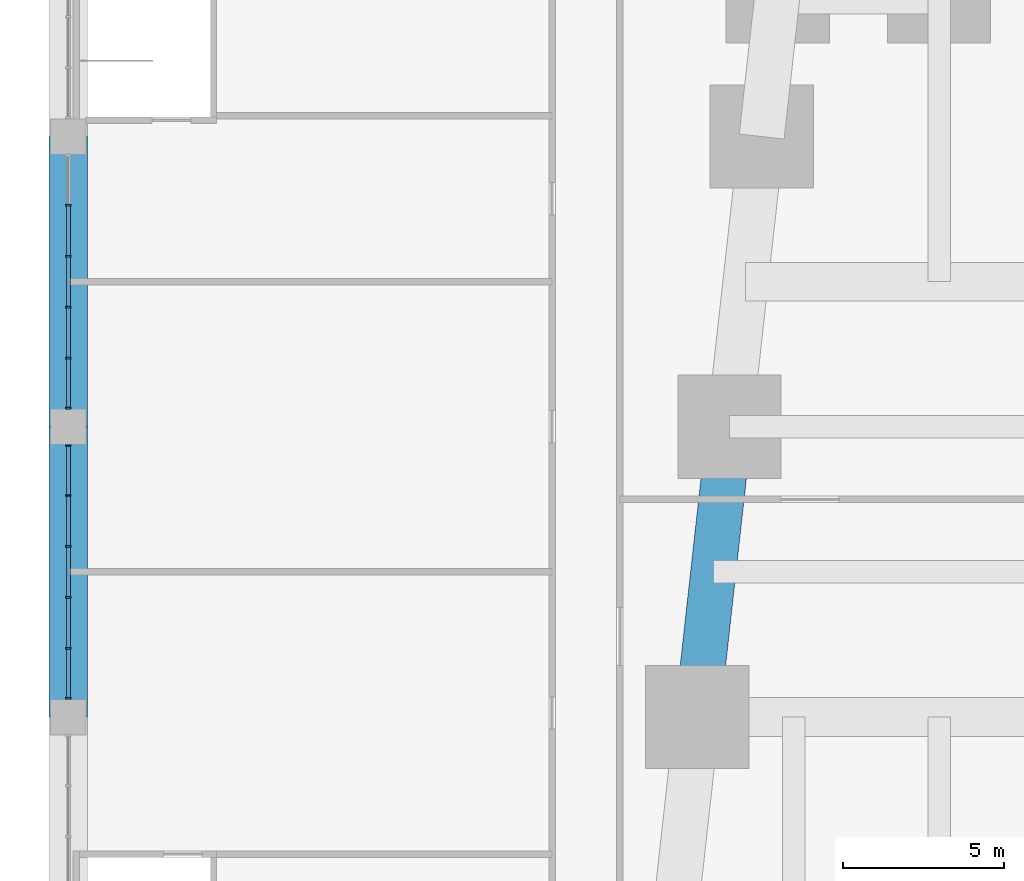
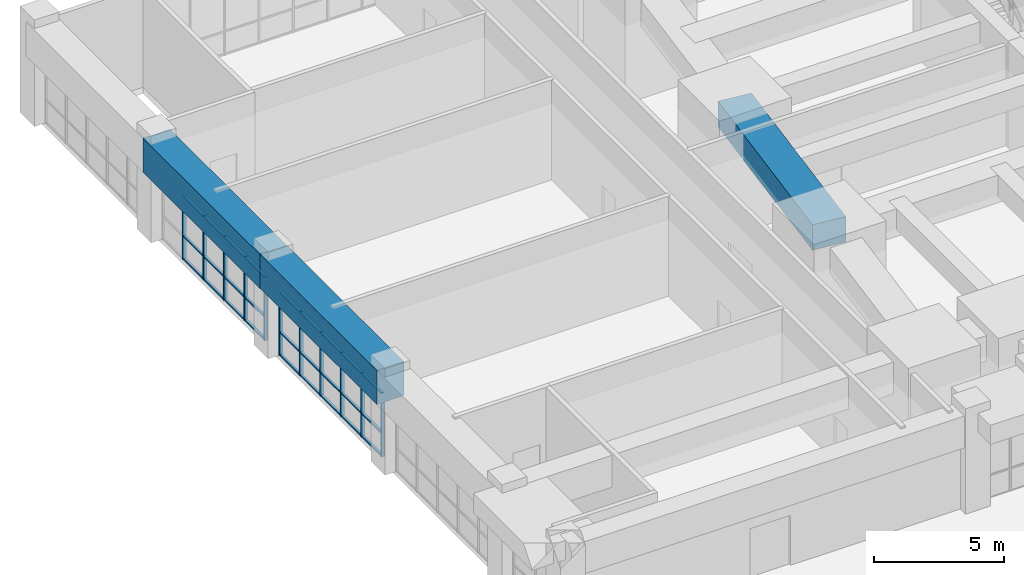
# One storey, part 4 of 22: 38 members, 3 beams, 2 elements without a shape of their own.
"""IFC4 building model written with IfcOpenShell, lengths in metres."""

import ifcopenshell
import ifcopenshell.guid

model = None  # the IFC model being written
_history = None  # IfcOwnerHistory: only IFC2X3 demands one
_inside = {}  # id of a spatial element -> (the spatial element, [elements in it])
_under = {}  # id of a project, library or spatial element -> (it, [spatial elements below it])
_declared = {}  # id of a project -> (the project, [libraries it declares])
_typed = {}  # id of a type object -> (the type object, [elements of that type])
_made_of = {}  # id of a material, layer set ... -> (it, [elements and type objects made of it])


def new_model(schema):
    """Start an empty IFC model of exactly this schema.

    Asked for "IFC4X3", IfcOpenShell would pick the latest addendum, in which some entities
    have other attributes; the version numbers below select the first issue.
    IFC2X3 requires an IfcOwnerHistory on every rooted entity: one is made here for all.
    """
    global model, _history
    if schema == "IFC4X3":
        model = ifcopenshell.file(schema_version=(4, 3, 0, 0))
    else:
        model = ifcopenshell.file(schema=schema)
    _inside.clear()
    _under.clear()
    _declared.clear()
    _typed.clear()
    _made_of.clear()
    _history = None
    if model.schema == "IFC2X3":
        org = make("IfcOrganization", Name="unknown")
        user = make(
            "IfcPersonAndOrganization",
            ThePerson=make("IfcPerson", FamilyName="unknown"),
            TheOrganization=org,
        )
        app = make(
            "IfcApplication",
            ApplicationDeveloper=org,
            Version="unknown",
            ApplicationFullName="unknown",
            ApplicationIdentifier="unknown",
        )
        _history = make(
            "IfcOwnerHistory",
            OwningUser=user,
            OwningApplication=app,
            ChangeAction="ADDED",
            CreationDate=0,
        )
    return model


def make(cls, **values):
    """One entity of the class cls with the attributes given. An attribute that is None is left unset."""
    return model.create_entity(
        cls, **{name: value for name, value in values.items() if value is not None}
    )


def rooted(cls, **values):
    """An entity with a GlobalId (a new one), such as an element, a storey or a relation."""
    return make(cls, GlobalId=ifcopenshell.guid.new(), OwnerHistory=_history, **values)


def si_unit(unit_type, name, prefix=None):
    """IfcSIUnit, for example si_unit("LENGTHUNIT", "METRE", prefix="MILLI")."""
    return make("IfcSIUnit", UnitType=unit_type, Prefix=prefix, Name=name)


def assignment(units):
    """IfcUnitAssignment: the units of a project."""
    return None if units is None else make("IfcUnitAssignment", Units=units)


def point(xyz):
    """IfcCartesianPoint."""
    return None if xyz is None else make("IfcCartesianPoint", Coordinates=xyz)


def direction(xyz):
    """IfcDirection."""
    return None if xyz is None else make("IfcDirection", DirectionRatios=xyz)


def frame(location, z_axis=None, x_axis=None):
    """IfcAxis2Placement3D, a coordinate frame: its origin and axes. An axis left out is left unset."""
    return make(
        "IfcAxis2Placement3D",
        Location=point(location),
        Axis=direction(z_axis),
        RefDirection=direction(x_axis),
    )


def frame_2d(location, x_axis=None):
    """IfcAxis2Placement2D, a coordinate frame in the plane: its origin and x axis."""
    return make(
        "IfcAxis2Placement2D", Location=point(location), RefDirection=direction(x_axis)
    )


def origin():
    """The frame at (0, 0, 0) with its axes left unset."""
    return frame((0.0, 0.0, 0.0))


def origin_2d():
    """The frame at (0, 0) in the plane with its x axis left unset."""
    return frame_2d((0.0, 0.0))


def place(relative_to, where):
    """IfcLocalPlacement: puts the frame where relative to a parent placement (None: the world)."""
    return make(
        "IfcLocalPlacement", PlacementRelTo=relative_to, RelativePlacement=where
    )


def context(
    kind, dimensions, precision=None, world=None, true_north=None, identifier=None
):
    """IfcGeometricRepresentationContext, for example the 3D "Model" context."""
    return make(
        "IfcGeometricRepresentationContext",
        ContextIdentifier=identifier,
        ContextType=kind,
        CoordinateSpaceDimension=dimensions,
        Precision=precision,
        WorldCoordinateSystem=world,
        TrueNorth=true_north,
    )


def subcontext(parent, identifier, kind, view, scale=None):
    """IfcGeometricRepresentationSubContext, for example "Body" below "Model"."""
    return make(
        "IfcGeometricRepresentationSubContext",
        ContextIdentifier=identifier,
        ContextType=kind,
        ParentContext=parent,
        TargetScale=scale,
        TargetView=view,
    )


def project(units=None, contexts=None):
    """IfcProject with its units and contexts."""
    return rooted(
        "IfcProject",
        Name="project",
        RepresentationContexts=contexts,
        UnitsInContext=assignment(units),
    )


def spatial(cls, under=None, at=None, **own):
    """A site, building, storey or space (cls), placed at a placement, below another one or the project."""
    s = rooted(cls, ObjectPlacement=at, **own)
    if under is not None:
        _under.setdefault(under.id(), (under, []))[1].append(s)
    return s


def profile(cls, at=None, kind="AREA", **sizes):
    """A parametric profile (cls). Its sizes go by their IFC names, for example OverallWidth=200.0."""
    return make(cls, ProfileType=kind, Position=at, **sizes)


def rectangle(**sizes):
    """IfcRectangleProfileDef."""
    return profile("IfcRectangleProfileDef", **sizes)


def extrude(swept, where, along, depth):
    """IfcExtrudedAreaSolid: the profile swept, set in the frame where, extruded along a direction by depth."""
    return make(
        "IfcExtrudedAreaSolid",
        SweptArea=swept,
        Position=where,
        ExtrudedDirection=direction(along),
        Depth=depth,
    )


def shape(context_of_items, identifier, shape_type, items):
    """IfcShapeRepresentation: the items that make up one representation, for example the "Body"."""
    return make(
        "IfcShapeRepresentation",
        ContextOfItems=context_of_items,
        RepresentationIdentifier=identifier,
        RepresentationType=shape_type,
        Items=items,
    )


def material(Name=None, Category=None):
    """IfcMaterial."""
    return make("IfcMaterial", Name=Name, Category=Category)


def material_profile(
    of_material, cross_section, Name=None, Category=None, Priority=None
):
    """IfcMaterialProfile: a cross section and its material."""
    return make(
        "IfcMaterialProfile",
        Name=Name,
        Material=of_material,
        Profile=cross_section,
        Priority=Priority,
        Category=Category,
    )


def profile_set(profiles, Name=None, composite=None):
    """IfcMaterialProfileSet."""
    return make(
        "IfcMaterialProfileSet",
        Name=Name,
        MaterialProfiles=profiles,
        CompositeProfile=composite,
    )


def made_of(thing, what):
    """Note that an element or type object is made of a material, layer set ...; save() writes the relation."""
    if what is not None:
        _made_of.setdefault(what.id(), (what, []))[1].append(thing)
    return thing


def type_object(cls, material=None, **own):
    """A type object (cls), such as IfcWallType, which elements share."""
    return made_of(rooted(cls, **own), material)


def element(
    cls,
    number,
    at=None,
    inside=None,
    cuts=None,
    type_object=None,
    material=None,
    context=None,
    identifier="Body",
    shape_type=None,
    held_by="IfcProductDefinitionShape",
    body=None,
    shapes=None,
    **own,
):
    """One element of the class cls, such as IfcWall. Its Tag is "e" and its number.

    at: its placement. inside: the storey or other place that contains it. cuts: it is an
    opening in that element (IfcRelVoidsElement). A single representation is given by context,
    identifier, shape_type and body (its items); several are given by shapes. held_by: the class
    of the entity that holds the representations. save() writes the other relations.
    """
    e = rooted(cls, Tag="e%d" % number, ObjectPlacement=at, **own)
    if body is not None:
        shapes = [shape(context, identifier, shape_type, body)]
    if shapes is not None:
        e.Representation = make(held_by, Representations=shapes)
    if inside is not None:
        _inside.setdefault(inside.id(), (inside, []))[1].append(e)
    if cuts is not None:
        rooted(
            "IfcRelVoidsElement", RelatingBuildingElement=cuts, RelatedOpeningElement=e
        )
    if type_object is not None:
        _typed.setdefault(type_object.id(), (type_object, []))[1].append(e)
    return made_of(e, material)


def aggregate(whole, parts):
    """IfcRelAggregates: a whole, such as a stair, and the parts it consists of."""
    return rooted("IfcRelAggregates", RelatingObject=whole, RelatedObjects=parts)


def save(model, path):
    """Write the relations noted so far, then the file.

    IfcRelAggregates (storeys below a building ...), IfcRelContainedInSpatialStructure (elements
    in a storey), IfcRelDefinesByType, IfcRelAssociatesMaterial and IfcRelDeclares: one each for
    every whole, place, type object, material and project.
    """
    for whole, parts in _under.values():
        aggregate(whole, parts)
    for where, things in _inside.values():
        rooted(
            "IfcRelContainedInSpatialStructure",
            RelatedElements=things,
            RelatingStructure=where,
        )
    for kind, things in _typed.values():
        rooted("IfcRelDefinesByType", RelatedObjects=things, RelatingType=kind)
    for what, things in _made_of.values():
        rooted("IfcRelAssociatesMaterial", RelatedObjects=things, RelatingMaterial=what)
    for by, libraries in _declared.values():
        rooted("IfcRelDeclares", RelatingContext=by, RelatedDefinitions=libraries)
    model.write(path)


model = new_model("IFC4")

# Units and contexts
model_context = context("Model", 3, precision=1e-05, world=origin(), true_north=direction((0.0, 1.0)))
body_context = subcontext(model_context, "Body", "Model", "MODEL_VIEW")
ifc_project = project(units=[si_unit("LENGTHUNIT", "METRE"), si_unit("AREAUNIT", "SQUARE_METRE"), si_unit("VOLUMEUNIT", "CUBIC_METRE"), si_unit("PLANEANGLEUNIT", "RADIAN"), si_unit("MASSUNIT", "GRAM", prefix="KILO")], contexts=[model_context])

# Site, building, storey
site_placement = place(None, origin())
site = spatial("IfcSite", under=ifc_project, at=site_placement, CompositionType="ELEMENT")
building_placement = place(site_placement, origin())
building = spatial("IfcBuilding", under=site, at=building_placement, Name="Kilele Tower Hotel", CompositionType="ELEMENT")
storey_placement = place(building_placement, frame((0.0, 0.0, 19.0)))
storey = spatial("IfcBuildingStorey", under=building, at=storey_placement, Name="L03", CompositionType="ELEMENT", Elevation=19.0)

# Beams
ifc_material_1 = material(Name="Concrete C60/75", Category="concrete")
ifc_material_profile_1 = material_profile(ifc_material_1, rectangle(XDim=1.199951171875, YDim=1.60009765625, at=origin_2d()))
ifc_profile_set_1 = profile_set([ifc_material_profile_1], Name="Concrete C60/75")
beam_type_1 = type_object("IfcBeamType", Name="Beam RC 1200x1600 C60/75", PredefinedType="BEAM", material=ifc_profile_set_1)
for number, where, z_axis, x_axis, name in (
    (1, (-18.0, 13.5, 3.800048828125), (0.0, 1.0, 0.0), (-1.0, 0.0, 0.0), "Beam PB2 level L04"),
    (2, (-18.0, 22.5, 3.800048828125), (0.0, 1.0, 0.0), (-1.0, 0.0, 0.0), "Beam PB2 level L04"),
):
    element("IfcBeam", number, at=place(storey_placement, frame(where, z_axis=z_axis, x_axis=x_axis)), inside=storey, type_object=beam_type_1, Name=name, PredefinedType="BEAM", context=body_context, shape_type="SweptSolid", body=[
        extrude(rectangle(XDim=1.199951171875, YDim=1.60009765625, at=origin_2d()), origin(), (0.0, 0.0, 1.0), 9.0),
    ])

# Curtain wall, members
ifc_material_2 = material(Name="Aluminium curtain wall, clear double glazing", Category="aluminium")
curtain_wall_type = type_object("IfcCurtainWallType", Name="Podium side curtain wall CW-2", PredefinedType="NOTDEFINED", material=ifc_material_2)
curtain_wall_1_placement = place(storey_placement, origin())
curtain_wall_1 = element("IfcCurtainWall", 3, at=curtain_wall_1_placement, inside=storey, type_object=curtain_wall_type, Name="Podium side curtain wall CW-2 L03", PredefinedType="NOTDEFINED")
ifc_material_3 = material(Name="Aluminium EN AW-6063 T6", Category="aluminium")
ifc_material_profile_2 = material_profile(ifc_material_3, rectangle(XDim=0.159912109375, YDim=0.06005859375, at=origin_2d()))
ifc_profile_set_2 = profile_set([ifc_material_profile_2], Name="Aluminium EN AW-6063 T6")
member_type_1 = type_object("IfcMemberType", Name="Mullion 60x160 CW-2", PredefinedType="MULLION", material=ifc_profile_set_2)
member_1_placement = place(storey_placement, frame((-18.0, 29.3701171875, 0.0), z_axis=(0.0, 0.0, 1.0), x_axis=(1.0, 0.0, 0.0)))
member_1 = element("IfcMember", 4, at=member_1_placement, type_object=member_type_1, Name="CW-2 mullion 2", PredefinedType="MULLION", context=body_context, shape_type="SweptSolid", body=[
    extrude(rectangle(XDim=0.159912109375, YDim=0.06005859375, at=origin_2d()), origin(), (0.0, 0.0, 1.0), 3.0),
])
member_2_placement = place(storey_placement, frame((-18.0, 27.7900390625, 0.0), z_axis=(0.0, 0.0, 1.0), x_axis=(1.0, 0.0, 0.0)))
member_2 = element("IfcMember", 5, at=member_2_placement, type_object=member_type_1, Name="CW-2 mullion 3", PredefinedType="MULLION", context=body_context, shape_type="SweptSolid", body=[
    extrude(rectangle(XDim=0.159912109375, YDim=0.06005859375, at=origin_2d()), origin(), (0.0, 0.0, 1.0), 3.0),
])
member_3_placement = place(storey_placement, frame((-18.0, 26.2099609375, 0.0), z_axis=(0.0, 0.0, 1.0), x_axis=(1.0, 0.0, 0.0)))
member_3 = element("IfcMember", 6, at=member_3_placement, type_object=member_type_1, Name="CW-2 mullion 4", PredefinedType="MULLION", context=body_context, shape_type="SweptSolid", body=[
    extrude(rectangle(XDim=0.159912109375, YDim=0.06005859375, at=origin_2d()), origin(), (0.0, 0.0, 1.0), 3.0),
])
member_4_placement = place(storey_placement, frame((-18.0, 24.6298828125, 0.0), z_axis=(0.0, 0.0, 1.0), x_axis=(1.0, 0.0, 0.0)))
member_4 = element("IfcMember", 7, at=member_4_placement, type_object=member_type_1, Name="CW-2 mullion 5", PredefinedType="MULLION", context=body_context, shape_type="SweptSolid", body=[
    extrude(rectangle(XDim=0.159912109375, YDim=0.06005859375, at=origin_2d()), origin(), (0.0, 0.0, 1.0), 3.0),
])
member_5_placement = place(storey_placement, frame((-18.0, 23.080078125, 0.0), z_axis=(0.0, 0.0, 1.0), x_axis=(1.0, 0.0, 0.0)))
member_5 = element("IfcMember", 8, at=member_5_placement, type_object=member_type_1, Name="CW-2 mullion 6", PredefinedType="MULLION", context=body_context, shape_type="SweptSolid", body=[
    extrude(rectangle(XDim=0.159912109375, YDim=0.06005859375, at=origin_2d()), origin(), (0.0, 0.0, 1.0), 3.0),
])

curtain_wall_2_placement = place(storey_placement, origin())
curtain_wall_2 = element("IfcCurtainWall", 9, at=curtain_wall_2_placement, inside=storey, type_object=curtain_wall_type, Name="Podium side curtain wall CW-2 L03", PredefinedType="NOTDEFINED")
member_6_placement = place(storey_placement, frame((-18.0, 21.919921875, 0.0), z_axis=(0.0, 0.0, 1.0), x_axis=(1.0, 0.0, 0.0)))
member_6 = element("IfcMember", 10, at=member_6_placement, type_object=member_type_1, Name="CW-2 mullion 1", PredefinedType="MULLION", context=body_context, shape_type="SweptSolid", body=[
    extrude(rectangle(XDim=0.159912109375, YDim=0.06005859375, at=origin_2d()), origin(), (0.0, 0.0, 1.0), 3.0),
])
member_7_placement = place(storey_placement, frame((-18.0, 20.3701171875, 0.0), z_axis=(0.0, 0.0, 1.0), x_axis=(1.0, 0.0, 0.0)))
member_7 = element("IfcMember", 11, at=member_7_placement, type_object=member_type_1, Name="CW-2 mullion 2", PredefinedType="MULLION", context=body_context, shape_type="SweptSolid", body=[
    extrude(rectangle(XDim=0.159912109375, YDim=0.06005859375, at=origin_2d()), origin(), (0.0, 0.0, 1.0), 3.0),
])
member_8_placement = place(storey_placement, frame((-18.0, 18.7900390625, 0.0), z_axis=(0.0, 0.0, 1.0), x_axis=(1.0, 0.0, 0.0)))
member_8 = element("IfcMember", 12, at=member_8_placement, type_object=member_type_1, Name="CW-2 mullion 3", PredefinedType="MULLION", context=body_context, shape_type="SweptSolid", body=[
    extrude(rectangle(XDim=0.159912109375, YDim=0.06005859375, at=origin_2d()), origin(), (0.0, 0.0, 1.0), 3.0),
])
member_9_placement = place(storey_placement, frame((-18.0, 17.2099609375, 0.0), z_axis=(0.0, 0.0, 1.0), x_axis=(1.0, 0.0, 0.0)))
member_9 = element("IfcMember", 13, at=member_9_placement, type_object=member_type_1, Name="CW-2 mullion 4", PredefinedType="MULLION", context=body_context, shape_type="SweptSolid", body=[
    extrude(rectangle(XDim=0.159912109375, YDim=0.06005859375, at=origin_2d()), origin(), (0.0, 0.0, 1.0), 3.0),
])
member_10_placement = place(storey_placement, frame((-18.0, 15.6298828125, 0.0), z_axis=(0.0, 0.0, 1.0), x_axis=(1.0, 0.0, 0.0)))
member_10 = element("IfcMember", 14, at=member_10_placement, type_object=member_type_1, Name="CW-2 mullion 5", PredefinedType="MULLION", context=body_context, shape_type="SweptSolid", body=[
    extrude(rectangle(XDim=0.159912109375, YDim=0.06005859375, at=origin_2d()), origin(), (0.0, 0.0, 1.0), 3.0),
])
member_11_placement = place(storey_placement, frame((-18.0, 14.080078125, 0.0), z_axis=(0.0, 0.0, 1.0), x_axis=(1.0, 0.0, 0.0)))
member_11 = element("IfcMember", 15, at=member_11_placement, type_object=member_type_1, Name="CW-2 mullion 6", PredefinedType="MULLION", context=body_context, shape_type="SweptSolid", body=[
    extrude(rectangle(XDim=0.159912109375, YDim=0.06005859375, at=origin_2d()), origin(), (0.0, 0.0, 1.0), 3.0),
])

# Beam
ifc_material_4 = material(Name="Concrete C60/75", Category="concrete")
ifc_material_profile_3 = material_profile(ifc_material_4, rectangle(XDim=1.39990234375, YDim=1.199951171875, at=origin_2d()))
ifc_profile_set_3 = profile_set([ifc_material_profile_3], Name="Concrete C60/75")
beam_type_2 = type_object("IfcBeamType", Name="Spandrel RC 1400x1200 C60/75", PredefinedType="SPANDREL", material=ifc_profile_set_3)
beam_placement = place(storey_placement, frame((2.5, 22.5, 4.0), z_axis=(-0.110431526075, -0.993883734674, 0.0), x_axis=(0.993883734674, -0.110431526075, 0.0)))
element("IfcBeam", 16, at=beam_placement, inside=storey, type_object=beam_type_2, Name="Spandrel SP10 level L04", PredefinedType="SPANDREL", context=body_context, shape_type="SweptSolid", body=[
    extrude(rectangle(XDim=1.39990234375, YDim=1.199951171875, at=origin_2d()), origin(), (0.0, 0.0, 1.0), 9.055419921875),
])

# Member
ifc_material_5 = material(Name="Aluminium EN AW-6063 T6", Category="aluminium")
ifc_material_profile_4 = material_profile(ifc_material_5, rectangle(XDim=0.1201171875, YDim=0.06005859375, at=origin_2d()))
ifc_profile_set_4 = profile_set([ifc_material_profile_4], Name="Aluminium EN AW-6063 T6")
member_type_2 = type_object("IfcMemberType", Name="Transom 60x120 CW-2", PredefinedType="USERDEFINED", material=ifc_profile_set_4)
member_12_placement = place(storey_placement, frame((-18.0, 29.340087890625, 0.030029296875), z_axis=(0.0, -1.0, 0.0), x_axis=(1.0, 0.0, 0.0)))
member_12 = element("IfcMember", 17, at=member_12_placement, type_object=member_type_2, Name="CW-2 transom 2.1", ObjectType="TRANSOM", PredefinedType="USERDEFINED", context=body_context, shape_type="SweptSolid", body=[
    extrude(rectangle(XDim=0.1201171875, YDim=0.06005859375, at=origin_2d()), origin(), (0.0, 0.0, 1.0), 1.52001953125),
])

member_13_placement = place(storey_placement, frame((-18.0, 29.340087890625, 1.10009765625), z_axis=(0.0, -1.0, 0.0), x_axis=(1.0, 0.0, 0.0)))
member_13 = element("IfcMember", 18, at=member_13_placement, type_object=member_type_2, Name="CW-2 transom 2.2", ObjectType="TRANSOM", PredefinedType="USERDEFINED", context=body_context, shape_type="SweptSolid", body=[
    extrude(rectangle(XDim=0.1201171875, YDim=0.06005859375, at=origin_2d()), origin(), (0.0, 0.0, 1.0), 1.52001953125),
])

member_14_placement = place(storey_placement, frame((-18.0, 29.340087890625, 2.969970703125), z_axis=(0.0, -1.0, 0.0), x_axis=(1.0, 0.0, 0.0)))
member_14 = element("IfcMember", 19, at=member_14_placement, type_object=member_type_2, Name="CW-2 transom 2.3", ObjectType="TRANSOM", PredefinedType="USERDEFINED", context=body_context, shape_type="SweptSolid", body=[
    extrude(rectangle(XDim=0.1201171875, YDim=0.06005859375, at=origin_2d()), origin(), (0.0, 0.0, 1.0), 1.52001953125),
])

member_15_placement = place(storey_placement, frame((-18.0, 27.760009765625, 0.030029296875), z_axis=(0.0, -1.0, 0.0), x_axis=(1.0, 0.0, 0.0)))
member_15 = element("IfcMember", 20, at=member_15_placement, type_object=member_type_2, Name="CW-2 transom 3.1", ObjectType="TRANSOM", PredefinedType="USERDEFINED", context=body_context, shape_type="SweptSolid", body=[
    extrude(rectangle(XDim=0.1201171875, YDim=0.06005859375, at=origin_2d()), origin(), (0.0, 0.0, 1.0), 1.52001953125),
])

member_16_placement = place(storey_placement, frame((-18.0, 27.760009765625, 1.10009765625), z_axis=(0.0, -1.0, 0.0), x_axis=(1.0, 0.0, 0.0)))
member_16 = element("IfcMember", 21, at=member_16_placement, type_object=member_type_2, Name="CW-2 transom 3.2", ObjectType="TRANSOM", PredefinedType="USERDEFINED", context=body_context, shape_type="SweptSolid", body=[
    extrude(rectangle(XDim=0.1201171875, YDim=0.06005859375, at=origin_2d()), origin(), (0.0, 0.0, 1.0), 1.52001953125),
])

member_17_placement = place(storey_placement, frame((-18.0, 27.760009765625, 2.969970703125), z_axis=(0.0, -1.0, 0.0), x_axis=(1.0, 0.0, 0.0)))
member_17 = element("IfcMember", 22, at=member_17_placement, type_object=member_type_2, Name="CW-2 transom 3.3", ObjectType="TRANSOM", PredefinedType="USERDEFINED", context=body_context, shape_type="SweptSolid", body=[
    extrude(rectangle(XDim=0.1201171875, YDim=0.06005859375, at=origin_2d()), origin(), (0.0, 0.0, 1.0), 1.52001953125),
])

member_18_placement = place(storey_placement, frame((-18.0, 26.179931640625, 0.030029296875), z_axis=(0.0, -1.0, 0.0), x_axis=(1.0, 0.0, 0.0)))
member_18 = element("IfcMember", 23, at=member_18_placement, type_object=member_type_2, Name="CW-2 transom 4.1", ObjectType="TRANSOM", PredefinedType="USERDEFINED", context=body_context, shape_type="SweptSolid", body=[
    extrude(rectangle(XDim=0.1201171875, YDim=0.06005859375, at=origin_2d()), origin(), (0.0, 0.0, 1.0), 1.52001953125),
])

member_19_placement = place(storey_placement, frame((-18.0, 26.179931640625, 1.10009765625), z_axis=(0.0, -1.0, 0.0), x_axis=(1.0, 0.0, 0.0)))
member_19 = element("IfcMember", 24, at=member_19_placement, type_object=member_type_2, Name="CW-2 transom 4.2", ObjectType="TRANSOM", PredefinedType="USERDEFINED", context=body_context, shape_type="SweptSolid", body=[
    extrude(rectangle(XDim=0.1201171875, YDim=0.06005859375, at=origin_2d()), origin(), (0.0, 0.0, 1.0), 1.52001953125),
])

member_20_placement = place(storey_placement, frame((-18.0, 26.179931640625, 2.969970703125), z_axis=(0.0, -1.0, 0.0), x_axis=(1.0, 0.0, 0.0)))
member_20 = element("IfcMember", 25, at=member_20_placement, type_object=member_type_2, Name="CW-2 transom 4.3", ObjectType="TRANSOM", PredefinedType="USERDEFINED", context=body_context, shape_type="SweptSolid", body=[
    extrude(rectangle(XDim=0.1201171875, YDim=0.06005859375, at=origin_2d()), origin(), (0.0, 0.0, 1.0), 1.52001953125),
])

member_21_placement = place(storey_placement, frame((-18.0, 24.60009765625, 0.030029296875), z_axis=(0.0, -1.0, 0.0), x_axis=(1.0, 0.0, 0.0)))
member_21 = element("IfcMember", 26, at=member_21_placement, type_object=member_type_2, Name="CW-2 transom 5.1", ObjectType="TRANSOM", PredefinedType="USERDEFINED", context=body_context, shape_type="SweptSolid", body=[
    extrude(rectangle(XDim=0.1201171875, YDim=0.06005859375, at=origin_2d()), origin(), (0.0, 0.0, 1.0), 1.489990234375),
])

member_22_placement = place(storey_placement, frame((-18.0, 24.60009765625, 1.10009765625), z_axis=(0.0, -1.0, 0.0), x_axis=(1.0, 0.0, 0.0)))
member_22 = element("IfcMember", 27, at=member_22_placement, type_object=member_type_2, Name="CW-2 transom 5.2", ObjectType="TRANSOM", PredefinedType="USERDEFINED", context=body_context, shape_type="SweptSolid", body=[
    extrude(rectangle(XDim=0.1201171875, YDim=0.06005859375, at=origin_2d()), origin(), (0.0, 0.0, 1.0), 1.489990234375),
])

member_23_placement = place(storey_placement, frame((-18.0, 24.60009765625, 2.969970703125), z_axis=(0.0, -1.0, 0.0), x_axis=(1.0, 0.0, 0.0)))
member_23 = element("IfcMember", 28, at=member_23_placement, type_object=member_type_2, Name="CW-2 transom 5.3", ObjectType="TRANSOM", PredefinedType="USERDEFINED", context=body_context, shape_type="SweptSolid", body=[
    extrude(rectangle(XDim=0.1201171875, YDim=0.06005859375, at=origin_2d()), origin(), (0.0, 0.0, 1.0), 1.489990234375),
])

aggregate(curtain_wall_1, [member_1, member_2, member_3, member_4, member_5, member_12, member_13, member_14, member_15, member_16, member_17, member_18, member_19, member_20, member_21, member_22, member_23])

member_24_placement = place(storey_placement, frame((-18.0, 21.889892578125, 0.030029296875), z_axis=(0.0, -1.0, 0.0), x_axis=(1.0, 0.0, 0.0)))
member_24 = element("IfcMember", 29, at=member_24_placement, type_object=member_type_2, Name="CW-2 transom 1.1", ObjectType="TRANSOM", PredefinedType="USERDEFINED", context=body_context, shape_type="SweptSolid", body=[
    extrude(rectangle(XDim=0.1201171875, YDim=0.06005859375, at=origin_2d()), origin(), (0.0, 0.0, 1.0), 1.489990234375),
])

member_25_placement = place(storey_placement, frame((-18.0, 21.889892578125, 1.10009765625), z_axis=(0.0, -1.0, 0.0), x_axis=(1.0, 0.0, 0.0)))
member_25 = element("IfcMember", 30, at=member_25_placement, type_object=member_type_2, Name="CW-2 transom 1.2", ObjectType="TRANSOM", PredefinedType="USERDEFINED", context=body_context, shape_type="SweptSolid", body=[
    extrude(rectangle(XDim=0.1201171875, YDim=0.06005859375, at=origin_2d()), origin(), (0.0, 0.0, 1.0), 1.489990234375),
])

member_26_placement = place(storey_placement, frame((-18.0, 21.889892578125, 2.969970703125), z_axis=(0.0, -1.0, 0.0), x_axis=(1.0, 0.0, 0.0)))
member_26 = element("IfcMember", 31, at=member_26_placement, type_object=member_type_2, Name="CW-2 transom 1.3", ObjectType="TRANSOM", PredefinedType="USERDEFINED", context=body_context, shape_type="SweptSolid", body=[
    extrude(rectangle(XDim=0.1201171875, YDim=0.06005859375, at=origin_2d()), origin(), (0.0, 0.0, 1.0), 1.489990234375),
])

member_27_placement = place(storey_placement, frame((-18.0, 20.340087890625, 0.030029296875), z_axis=(0.0, -1.0, 0.0), x_axis=(1.0, 0.0, 0.0)))
member_27 = element("IfcMember", 32, at=member_27_placement, type_object=member_type_2, Name="CW-2 transom 2.1", ObjectType="TRANSOM", PredefinedType="USERDEFINED", context=body_context, shape_type="SweptSolid", body=[
    extrude(rectangle(XDim=0.1201171875, YDim=0.06005859375, at=origin_2d()), origin(), (0.0, 0.0, 1.0), 1.52001953125),
])

member_28_placement = place(storey_placement, frame((-18.0, 20.340087890625, 1.10009765625), z_axis=(0.0, -1.0, 0.0), x_axis=(1.0, 0.0, 0.0)))
member_28 = element("IfcMember", 33, at=member_28_placement, type_object=member_type_2, Name="CW-2 transom 2.2", ObjectType="TRANSOM", PredefinedType="USERDEFINED", context=body_context, shape_type="SweptSolid", body=[
    extrude(rectangle(XDim=0.1201171875, YDim=0.06005859375, at=origin_2d()), origin(), (0.0, 0.0, 1.0), 1.52001953125),
])

member_29_placement = place(storey_placement, frame((-18.0, 20.340087890625, 2.969970703125), z_axis=(0.0, -1.0, 0.0), x_axis=(1.0, 0.0, 0.0)))
member_29 = element("IfcMember", 34, at=member_29_placement, type_object=member_type_2, Name="CW-2 transom 2.3", ObjectType="TRANSOM", PredefinedType="USERDEFINED", context=body_context, shape_type="SweptSolid", body=[
    extrude(rectangle(XDim=0.1201171875, YDim=0.06005859375, at=origin_2d()), origin(), (0.0, 0.0, 1.0), 1.52001953125),
])

member_30_placement = place(storey_placement, frame((-18.0, 18.760009765625, 0.030029296875), z_axis=(0.0, -1.0, 0.0), x_axis=(1.0, 0.0, 0.0)))
member_30 = element("IfcMember", 35, at=member_30_placement, type_object=member_type_2, Name="CW-2 transom 3.1", ObjectType="TRANSOM", PredefinedType="USERDEFINED", context=body_context, shape_type="SweptSolid", body=[
    extrude(rectangle(XDim=0.1201171875, YDim=0.06005859375, at=origin_2d()), origin(), (0.0, 0.0, 1.0), 1.52001953125),
])

member_31_placement = place(storey_placement, frame((-18.0, 18.760009765625, 1.10009765625), z_axis=(0.0, -1.0, 0.0), x_axis=(1.0, 0.0, 0.0)))
member_31 = element("IfcMember", 36, at=member_31_placement, type_object=member_type_2, Name="CW-2 transom 3.2", ObjectType="TRANSOM", PredefinedType="USERDEFINED", context=body_context, shape_type="SweptSolid", body=[
    extrude(rectangle(XDim=0.1201171875, YDim=0.06005859375, at=origin_2d()), origin(), (0.0, 0.0, 1.0), 1.52001953125),
])

member_32_placement = place(storey_placement, frame((-18.0, 18.760009765625, 2.969970703125), z_axis=(0.0, -1.0, 0.0), x_axis=(1.0, 0.0, 0.0)))
member_32 = element("IfcMember", 37, at=member_32_placement, type_object=member_type_2, Name="CW-2 transom 3.3", ObjectType="TRANSOM", PredefinedType="USERDEFINED", context=body_context, shape_type="SweptSolid", body=[
    extrude(rectangle(XDim=0.1201171875, YDim=0.06005859375, at=origin_2d()), origin(), (0.0, 0.0, 1.0), 1.52001953125),
])

member_33_placement = place(storey_placement, frame((-18.0, 17.179931640625, 0.030029296875), z_axis=(0.0, -1.0, 0.0), x_axis=(1.0, 0.0, 0.0)))
member_33 = element("IfcMember", 38, at=member_33_placement, type_object=member_type_2, Name="CW-2 transom 4.1", ObjectType="TRANSOM", PredefinedType="USERDEFINED", context=body_context, shape_type="SweptSolid", body=[
    extrude(rectangle(XDim=0.1201171875, YDim=0.06005859375, at=origin_2d()), origin(), (0.0, 0.0, 1.0), 1.52001953125),
])

member_34_placement = place(storey_placement, frame((-18.0, 17.179931640625, 1.10009765625), z_axis=(0.0, -1.0, 0.0), x_axis=(1.0, 0.0, 0.0)))
member_34 = element("IfcMember", 39, at=member_34_placement, type_object=member_type_2, Name="CW-2 transom 4.2", ObjectType="TRANSOM", PredefinedType="USERDEFINED", context=body_context, shape_type="SweptSolid", body=[
    extrude(rectangle(XDim=0.1201171875, YDim=0.06005859375, at=origin_2d()), origin(), (0.0, 0.0, 1.0), 1.52001953125),
])

member_35_placement = place(storey_placement, frame((-18.0, 17.179931640625, 2.969970703125), z_axis=(0.0, -1.0, 0.0), x_axis=(1.0, 0.0, 0.0)))
member_35 = element("IfcMember", 40, at=member_35_placement, type_object=member_type_2, Name="CW-2 transom 4.3", ObjectType="TRANSOM", PredefinedType="USERDEFINED", context=body_context, shape_type="SweptSolid", body=[
    extrude(rectangle(XDim=0.1201171875, YDim=0.06005859375, at=origin_2d()), origin(), (0.0, 0.0, 1.0), 1.52001953125),
])

member_36_placement = place(storey_placement, frame((-18.0, 15.60009765625, 0.030029296875), z_axis=(0.0, -1.0, 0.0), x_axis=(1.0, 0.0, 0.0)))
member_36 = element("IfcMember", 41, at=member_36_placement, type_object=member_type_2, Name="CW-2 transom 5.1", ObjectType="TRANSOM", PredefinedType="USERDEFINED", context=body_context, shape_type="SweptSolid", body=[
    extrude(rectangle(XDim=0.1201171875, YDim=0.06005859375, at=origin_2d()), origin(), (0.0, 0.0, 1.0), 1.489990234375),
])

member_37_placement = place(storey_placement, frame((-18.0, 15.60009765625, 1.10009765625), z_axis=(0.0, -1.0, 0.0), x_axis=(1.0, 0.0, 0.0)))
member_37 = element("IfcMember", 42, at=member_37_placement, type_object=member_type_2, Name="CW-2 transom 5.2", ObjectType="TRANSOM", PredefinedType="USERDEFINED", context=body_context, shape_type="SweptSolid", body=[
    extrude(rectangle(XDim=0.1201171875, YDim=0.06005859375, at=origin_2d()), origin(), (0.0, 0.0, 1.0), 1.489990234375),
])

member_38_placement = place(storey_placement, frame((-18.0, 15.60009765625, 2.969970703125), z_axis=(0.0, -1.0, 0.0), x_axis=(1.0, 0.0, 0.0)))
member_38 = element("IfcMember", 43, at=member_38_placement, type_object=member_type_2, Name="CW-2 transom 5.3", ObjectType="TRANSOM", PredefinedType="USERDEFINED", context=body_context, shape_type="SweptSolid", body=[
    extrude(rectangle(XDim=0.1201171875, YDim=0.06005859375, at=origin_2d()), origin(), (0.0, 0.0, 1.0), 1.489990234375),
])

aggregate(curtain_wall_2, [member_6, member_7, member_8, member_9, member_10, member_11, member_24, member_25, member_26, member_27, member_28, member_29, member_30, member_31, member_32, member_33, member_34, member_35, member_36, member_37, member_38])

save(model, "model.ifc")
